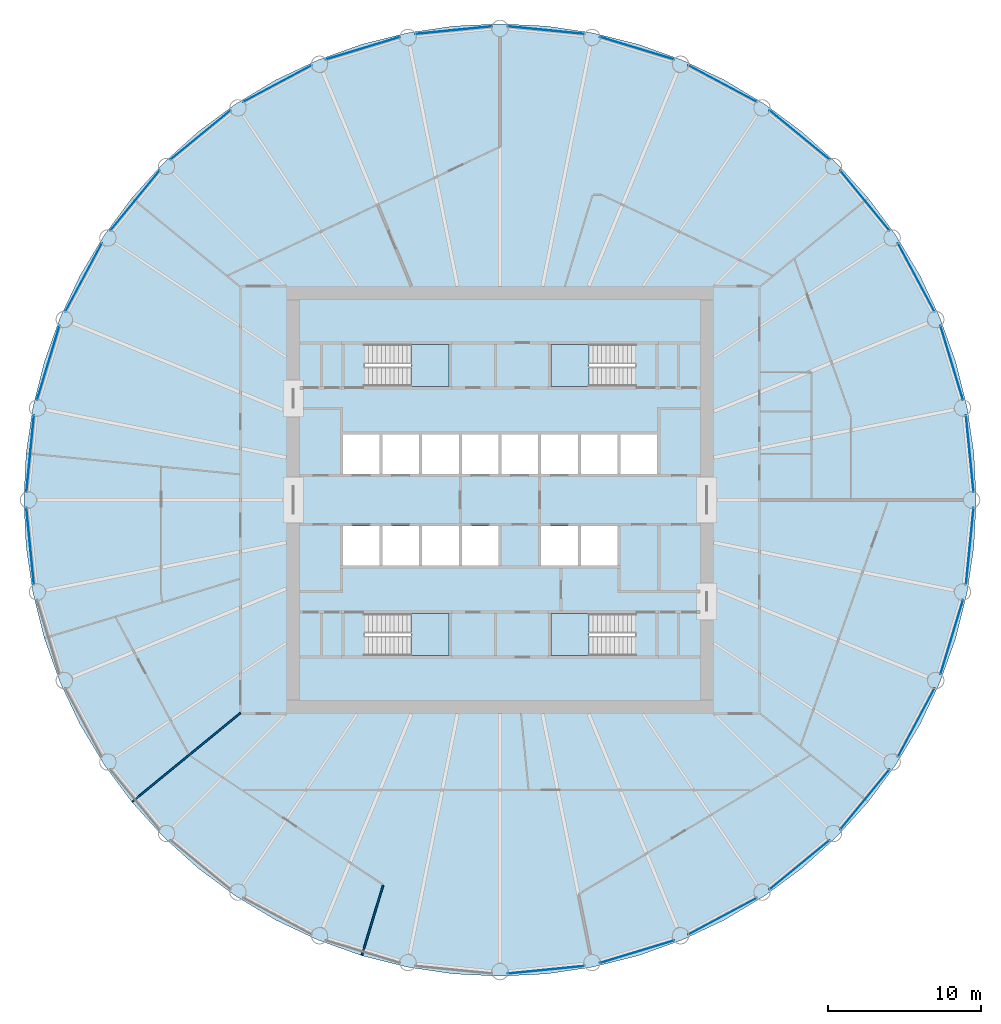
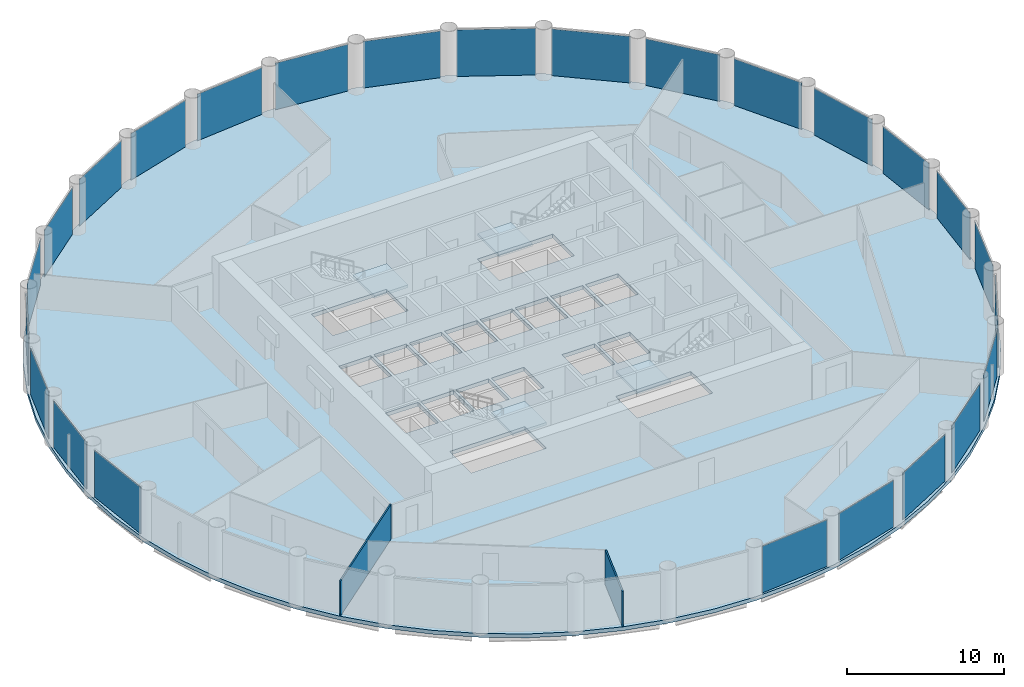
# One storey, part 3 of 8: 25 plates, 5 slabs, 2 walls, 29 elements without a shape of their own.
"""IFC4 building model written with IfcOpenShell, lengths in metres."""

from ifc_helpers import new_model, si_unit, direction, frame, frame_2d, origin, origin_2d, place, context, subcontext, project, spatial, polyline, rectangle, outline, extrude, material, layer, layer_set, type_object, element, aggregate, save


model = new_model("IFC4")

# Units and contexts
model_context = context("Model", 3, precision=1e-05, world=origin(), true_north=direction((0.0, 1.0)))
body_context = subcontext(model_context, "Body", "Model", "MODEL_VIEW")
ifc_project = project(units=[si_unit("LENGTHUNIT", "METRE"), si_unit("AREAUNIT", "SQUARE_METRE"), si_unit("VOLUMEUNIT", "CUBIC_METRE"), si_unit("PLANEANGLEUNIT", "RADIAN"), si_unit("MASSUNIT", "GRAM", prefix="KILO")], contexts=[model_context])

# Site, building, storey
site_placement = place(None, origin())
site = spatial("IfcSite", under=ifc_project, at=site_placement, CompositionType="ELEMENT")
building_placement = place(site_placement, origin())
building = spatial("IfcBuilding", under=site, at=building_placement, Name="Corvane Civic Tower", CompositionType="ELEMENT")
storey_placement = place(building_placement, frame((0.0, 0.0, 156.0)))
storey = spatial("IfcBuildingStorey", under=building, at=storey_placement, Name="L36", CompositionType="ELEMENT", Elevation=156.0)

# Slab
ifc_material_1 = material(Name="Concrete C40/50", Category="concrete")
ifc_layer_1 = layer(ifc_material_1, 0.300048828125)
ifc_layer_set_1 = layer_set([ifc_layer_1], Name="Concrete C40/50")
slab_type_1 = type_object("IfcSlabType", Name="FLOOR SLAB 300", PredefinedType="FLOOR", material=ifc_layer_set_1)
slab_1_placement = place(storey_placement, frame((0.0, 0.0, -0.300048828125)))
element("IfcSlab", 1, at=slab_1_placement, inside=storey, type_object=slab_type_1, Name="SLB-L36", PredefinedType="FLOOR", context=body_context, shape_type="SweptSolid", body=[
    extrude(outline(polyline([(0.0, 31.199951171875), (-3.05810546875, 31.0498046875), (-6.0869140625, 30.6005859375), (-9.056884765625, 29.8564453125), (-11.939697265625, 28.824951171875), (-14.70751953125, 27.515869140625), (-17.333740234375, 25.94189453125), (-19.79296875, 24.117919921875), (-22.061767578125, 22.061767578125), (-24.117919921875, 19.79296875), (-25.94189453125, 17.333740234375), (-27.515869140625, 14.70751953125), (-28.824951171875, 11.939697265625), (-29.8564453125, 9.056884765625), (-30.6005859375, 6.0869140625), (-31.0498046875, 3.05810546875), (-31.199951171875, 0.0), (-31.0498046875, -3.05810546875), (-30.6005859375, -6.0869140625), (-29.8564453125, -9.056884765625), (-28.824951171875, -11.939697265625), (-27.515869140625, -14.70751953125), (-25.94189453125, -17.333740234375), (-24.117919921875, -19.79296875), (-22.061767578125, -22.061767578125), (-19.79296875, -24.117919921875), (-17.333740234375, -25.94189453125), (-14.70751953125, -27.515869140625), (-11.939697265625, -28.824951171875), (-9.056884765625, -29.8564453125), (-6.0869140625, -30.6005859375), (-3.05810546875, -31.0498046875), (0.0, -31.199951171875), (3.05810546875, -31.0498046875), (6.0869140625, -30.6005859375), (9.056884765625, -29.8564453125), (11.939697265625, -28.824951171875), (14.70751953125, -27.515869140625), (17.333740234375, -25.94189453125), (19.79296875, -24.117919921875), (22.061767578125, -22.061767578125), (24.117919921875, -19.79296875), (25.94189453125, -17.333740234375), (27.515869140625, -14.70751953125), (28.824951171875, -11.939697265625), (29.8564453125, -9.056884765625), (30.6005859375, -6.0869140625), (31.0498046875, -3.05810546875), (31.199951171875, 0.0), (31.0498046875, 3.05810546875), (30.6005859375, 6.0869140625), (29.8564453125, 9.056884765625), (28.824951171875, 11.939697265625), (27.515869140625, 14.70751953125), (25.94189453125, 17.333740234375), (24.117919921875, 19.79296875), (22.061767578125, 22.061767578125), (19.79296875, 24.117919921875), (17.333740234375, 25.94189453125), (14.70751953125, 27.515869140625), (11.939697265625, 28.824951171875), (9.056884765625, 29.8564453125), (6.0869140625, 30.6005859375), (3.05810546875, 31.0498046875), (0.0, 31.199951171875)]), holes=[polyline([(-7.89990234375, 1.699951171875), (-10.300048828125, 1.699951171875), (-10.300048828125, 4.300048828125), (-7.89990234375, 4.300048828125), (-7.89990234375, 1.699951171875)]), polyline([(-7.699951171875, 4.300048828125), (-5.300048828125, 4.300048828125), (-5.300048828125, 1.699951171875), (-7.699951171875, 1.699951171875), (-7.699951171875, 4.300048828125)]), polyline([(-5.10009765625, 4.300048828125), (-2.699951171875, 4.300048828125), (-2.699951171875, 1.699951171875), (-5.10009765625, 1.699951171875), (-5.10009765625, 4.300048828125)]), polyline([(-2.5, 4.300048828125), (-0.10009765625, 4.300048828125), (-0.10009765625, 1.699951171875), (-2.5, 1.699951171875), (-2.5, 4.300048828125)]), polyline([(2.5, 1.699951171875), (0.10009765625, 1.699951171875), (0.10009765625, 4.300048828125), (2.5, 4.300048828125), (2.5, 1.699951171875)]), polyline([(5.10009765625, 1.699951171875), (2.699951171875, 1.699951171875), (2.699951171875, 4.300048828125), (5.10009765625, 4.300048828125), (5.10009765625, 1.699951171875)]), polyline([(5.300048828125, 4.300048828125), (7.699951171875, 4.300048828125), (7.699951171875, 1.699951171875), (5.300048828125, 1.699951171875), (5.300048828125, 4.300048828125)]), polyline([(7.89990234375, 4.300048828125), (10.300048828125, 4.300048828125), (10.300048828125, 1.699951171875), (7.89990234375, 1.699951171875), (7.89990234375, 4.300048828125)]), polyline([(-10.300048828125, -1.699951171875), (-7.89990234375, -1.699951171875), (-7.89990234375, -4.300048828125), (-10.300048828125, -4.300048828125), (-10.300048828125, -1.699951171875)]), polyline([(-7.699951171875, -1.699951171875), (-5.300048828125, -1.699951171875), (-5.300048828125, -4.300048828125), (-7.699951171875, -4.300048828125), (-7.699951171875, -1.699951171875)]), polyline([(-5.10009765625, -1.699951171875), (-2.699951171875, -1.699951171875), (-2.699951171875, -4.300048828125), (-5.10009765625, -4.300048828125), (-5.10009765625, -1.699951171875)]), polyline([(-2.5, -1.699951171875), (-0.10009765625, -1.699951171875), (-0.10009765625, -4.300048828125), (-2.5, -4.300048828125), (-2.5, -1.699951171875)]), polyline([(2.699951171875, -1.699951171875), (5.10009765625, -1.699951171875), (5.10009765625, -4.300048828125), (2.699951171875, -4.300048828125), (2.699951171875, -1.699951171875)]), polyline([(5.300048828125, -1.699951171875), (7.699951171875, -1.699951171875), (7.699951171875, -4.300048828125), (5.300048828125, -4.300048828125), (5.300048828125, -1.699951171875)]), polyline([(8.889892578125, 10.199951171875), (8.889892578125, 7.449951171875), (3.35009765625, 7.449951171875), (3.35009765625, 10.199951171875), (8.889892578125, 10.199951171875)]), polyline([(-8.889892578125, 7.449951171875), (-8.889892578125, 10.199951171875), (-3.35009765625, 10.199951171875), (-3.35009765625, 7.449951171875), (-8.889892578125, 7.449951171875)]), polyline([(8.889892578125, -7.449951171875), (8.889892578125, -10.199951171875), (3.35009765625, -10.199951171875), (3.35009765625, -7.449951171875), (8.889892578125, -7.449951171875)]), polyline([(-8.889892578125, -10.199951171875), (-8.889892578125, -7.449951171875), (-3.35009765625, -7.449951171875), (-3.35009765625, -10.199951171875), (-8.889892578125, -10.199951171875)])]), origin(), (0.0, 0.0, 1.0), 0.300048828125),
])

# Stair, slab
ifc_material_2 = material(Name="Concrete C40/50", Category="concrete")
stair_type = type_object("IfcStairType", Name="ST-STAIR-HALFTURN", PredefinedType="HALF_TURN_STAIR", material=ifc_material_2)
stair_1_placement = place(storey_placement, origin())
stair_1 = element("IfcStair", 2, at=stair_1_placement, inside=storey, type_object=stair_type, Name="L36 Exit stair ST1", PredefinedType="HALF_TURN_STAIR")
ifc_material_3 = material(Name="Concrete C40/50", Category="concrete")
ifc_layer_2 = layer(ifc_material_3, 0.199951171875)
ifc_layer_set_2 = layer_set([ifc_layer_2], Name="Concrete C40/50")
slab_type_2 = type_object("IfcSlabType", Name="ST-LANDING-RC", PredefinedType="LANDING", material=ifc_layer_set_2)
slab_2_placement = place(storey_placement, frame((0.0, 0.0, 1.800048828125)))
slab_2 = element("IfcSlab", 3, at=slab_2_placement, type_object=slab_type_2, Name="ST1 landing 1", PredefinedType="LANDING", context=body_context, shape_type="SweptSolid", body=[
    extrude(outline(polyline([(5.820068359375, 10.199951171875), (3.35009765625, 10.199951171875), (3.35009765625, 7.449951171875), (5.820068359375, 7.449951171875), (5.820068359375, 10.199951171875)])), origin(), (0.0, 0.0, 1.0), 0.199951171875),
])
aggregate(stair_1, [slab_2])

stair_2_placement = place(storey_placement, origin())
stair_2 = element("IfcStair", 4, at=stair_2_placement, inside=storey, type_object=stair_type, Name="L36 Exit stair ST2", PredefinedType="HALF_TURN_STAIR")
slab_3_placement = place(storey_placement, frame((0.0, 0.0, 1.800048828125)))
slab_3 = element("IfcSlab", 5, at=slab_3_placement, type_object=slab_type_2, Name="ST2 landing 1", PredefinedType="LANDING", context=body_context, shape_type="SweptSolid", body=[
    extrude(outline(polyline([(5.820068359375, -7.449951171875), (3.35009765625, -7.449951171875), (3.35009765625, -10.199951171875), (5.820068359375, -10.199951171875), (5.820068359375, -7.449951171875)])), origin(), (0.0, 0.0, 1.0), 0.199951171875),
])
aggregate(stair_2, [slab_3])

stair_3_placement = place(storey_placement, origin())
stair_3 = element("IfcStair", 6, at=stair_3_placement, inside=storey, type_object=stair_type, Name="L36 Exit stair ST3", PredefinedType="HALF_TURN_STAIR")
slab_4_placement = place(storey_placement, frame((0.0, 0.0, 1.800048828125)))
slab_4 = element("IfcSlab", 7, at=slab_4_placement, type_object=slab_type_2, Name="ST3 landing 1", PredefinedType="LANDING", context=body_context, shape_type="SweptSolid", body=[
    extrude(outline(polyline([(-5.820068359375, -10.199951171875), (-3.35009765625, -10.199951171875), (-3.35009765625, -7.449951171875), (-5.820068359375, -7.449951171875), (-5.820068359375, -10.199951171875)])), origin(), (0.0, 0.0, 1.0), 0.199951171875),
])
aggregate(stair_3, [slab_4])

stair_4_placement = place(storey_placement, origin())
stair_4 = element("IfcStair", 8, at=stair_4_placement, inside=storey, type_object=stair_type, Name="L36 Exit stair ST4", PredefinedType="HALF_TURN_STAIR")
slab_5_placement = place(storey_placement, frame((0.0, 0.0, 1.800048828125)))
slab_5 = element("IfcSlab", 9, at=slab_5_placement, type_object=slab_type_2, Name="ST4 landing 1", PredefinedType="LANDING", context=body_context, shape_type="SweptSolid", body=[
    extrude(outline(polyline([(-5.820068359375, 7.449951171875), (-3.35009765625, 7.449951171875), (-3.35009765625, 10.199951171875), (-5.820068359375, 10.199951171875), (-5.820068359375, 7.449951171875)])), origin(), (0.0, 0.0, 1.0), 0.199951171875),
])
aggregate(stair_4, [slab_5])

# Curtain wall, plate
ifc_material_4 = material(Name="Anodised aluminium bronze", Category="aluminium")
curtain_wall_type = type_object("IfcCurtainWallType", Name="TOWER CW-T2 STICK CURTAIN WALL", PredefinedType="NOTDEFINED", material=ifc_material_4)
curtain_wall_1_placement = place(storey_placement, origin())
curtain_wall_1 = element("IfcCurtainWall", 10, at=curtain_wall_1_placement, inside=storey, type_object=curtain_wall_type, Name="Curtain wall CW-T2 L36 bay 01", PredefinedType="NOTDEFINED")
ifc_material_5 = material(Name="Tinted glass", Category="glass")
ifc_layer_3 = layer(ifc_material_5, 0.031982421875)
ifc_layer_set_3 = layer_set([ifc_layer_3], Name="Tinted glass")
plate_type = type_object("IfcPlateType", Name="TOWER CW-T2 PANEL IGU32", PredefinedType="CURTAIN_PANEL", material=ifc_layer_set_3)
plate_1_placement = place(storey_placement, frame((3.03173828125, 30.781494140625, 0.0), z_axis=(0.0, 0.0, 1.0), x_axis=(0.995185244531, -0.098011882274, 0.0)))
plate_1 = element("IfcPlate", 11, at=plate_1_placement, type_object=plate_type, Name="Glass panel CW-T2 L36 01.1", PredefinedType="CURTAIN_PANEL", context=body_context, shape_type="SweptSolid", body=[
    extrude(rectangle(XDim=5.07763671875, YDim=0.031982421875, at=origin_2d()), origin(), (0.0, 0.0, 1.0), 3.6298828125),
])
aggregate(curtain_wall_1, [plate_1])

curtain_wall_2_placement = place(storey_placement, origin())
curtain_wall_2 = element("IfcCurtainWall", 12, at=curtain_wall_2_placement, inside=storey, type_object=curtain_wall_type, Name="Curtain wall CW-T2 L36 bay 02", PredefinedType="NOTDEFINED")
plate_2_placement = place(storey_placement, frame((8.978515625, 29.5986328125, 0.0), z_axis=(0.0, 0.0, 1.0), x_axis=(0.956931677007, -0.290313219714, 0.0)))
plate_2 = element("IfcPlate", 13, at=plate_2_placement, type_object=plate_type, Name="Glass panel CW-T2 L36 02.1", PredefinedType="CURTAIN_PANEL", context=body_context, shape_type="SweptSolid", body=[
    extrude(rectangle(XDim=5.077392578125, YDim=0.031982421875, at=origin_2d()), origin(), (0.0, 0.0, 1.0), 3.6298828125),
])
aggregate(curtain_wall_2, [plate_2])

curtain_wall_3_placement = place(storey_placement, origin())
curtain_wall_3 = element("IfcCurtainWall", 14, at=curtain_wall_3_placement, inside=storey, type_object=curtain_wall_type, Name="Curtain wall CW-T2 L36 bay 03", PredefinedType="NOTDEFINED")
plate_3_placement = place(storey_placement, frame((14.58056640625, 27.278076171875, 0.0), z_axis=(0.0, 0.0, 1.0), x_axis=(0.881922190434, -0.471395004238, 0.0)))
plate_3 = element("IfcPlate", 15, at=plate_3_placement, type_object=plate_type, Name="Glass panel CW-T2 L36 03.1", PredefinedType="CURTAIN_PANEL", context=body_context, shape_type="SweptSolid", body=[
    extrude(rectangle(XDim=5.077392578125, YDim=0.031982421875, at=origin_2d()), origin(), (0.0, 0.0, 1.0), 3.6298828125),
])
aggregate(curtain_wall_3, [plate_3])

curtain_wall_4_placement = place(storey_placement, origin())
curtain_wall_4 = element("IfcCurtainWall", 16, at=curtain_wall_4_placement, inside=storey, type_object=curtain_wall_type, Name="Curtain wall CW-T2 L36 bay 04", PredefinedType="NOTDEFINED")
plate_4_placement = place(storey_placement, frame((19.6220703125, 23.909423828125, 0.0), z_axis=(0.0, 0.0, 1.0), x_axis=(0.773004844196, -0.634400118891, 0.0)))
plate_4 = element("IfcPlate", 17, at=plate_4_placement, type_object=plate_type, Name="Glass panel CW-T2 L36 04.1", PredefinedType="CURTAIN_PANEL", context=body_context, shape_type="SweptSolid", body=[
    extrude(rectangle(XDim=5.0771484375, YDim=0.031982421875, at=origin_2d()), origin(), (0.0, 0.0, 1.0), 3.6298828125),
])
aggregate(curtain_wall_4, [plate_4])

curtain_wall_5_placement = place(storey_placement, origin())
curtain_wall_5 = element("IfcCurtainWall", 18, at=curtain_wall_5_placement, inside=storey, type_object=curtain_wall_type, Name="Curtain wall CW-T2 L36 bay 05", PredefinedType="NOTDEFINED")
plate_5_placement = place(storey_placement, frame((23.909423828125, 19.6220703125, 0.0), z_axis=(0.0, 0.0, 1.0), x_axis=(0.634400118891, -0.773004844196, 0.0)))
plate_5 = element("IfcPlate", 19, at=plate_5_placement, type_object=plate_type, Name="Glass panel CW-T2 L36 05.1", PredefinedType="CURTAIN_PANEL", context=body_context, shape_type="SweptSolid", body=[
    extrude(rectangle(XDim=5.0771484375, YDim=0.031982421875, at=origin_2d()), origin(), (0.0, 0.0, 1.0), 3.6298828125),
])
aggregate(curtain_wall_5, [plate_5])

curtain_wall_6_placement = place(storey_placement, origin())
curtain_wall_6 = element("IfcCurtainWall", 20, at=curtain_wall_6_placement, inside=storey, type_object=curtain_wall_type, Name="Curtain wall CW-T2 L36 bay 06", PredefinedType="NOTDEFINED")
plate_6_placement = place(storey_placement, frame((27.278076171875, 14.58056640625, 0.0), z_axis=(0.0, 0.0, 1.0), x_axis=(0.471395004238, -0.881922190434, 0.0)))
plate_6 = element("IfcPlate", 21, at=plate_6_placement, type_object=plate_type, Name="Glass panel CW-T2 L36 06.1", PredefinedType="CURTAIN_PANEL", context=body_context, shape_type="SweptSolid", body=[
    extrude(rectangle(XDim=5.077392578125, YDim=0.031982421875, at=origin_2d()), origin(), (0.0, 0.0, 1.0), 3.6298828125),
])
aggregate(curtain_wall_6, [plate_6])

curtain_wall_7_placement = place(storey_placement, origin())
curtain_wall_7 = element("IfcCurtainWall", 22, at=curtain_wall_7_placement, inside=storey, type_object=curtain_wall_type, Name="Curtain wall CW-T2 L36 bay 07", PredefinedType="NOTDEFINED")
plate_7_placement = place(storey_placement, frame((29.5986328125, 8.978515625, 0.0), z_axis=(0.0, 0.0, 1.0), x_axis=(0.290313219714, -0.956931677007, 0.0)))
plate_7 = element("IfcPlate", 23, at=plate_7_placement, type_object=plate_type, Name="Glass panel CW-T2 L36 07.1", PredefinedType="CURTAIN_PANEL", context=body_context, shape_type="SweptSolid", body=[
    extrude(rectangle(XDim=5.077392578125, YDim=0.031982421875, at=origin_2d()), origin(), (0.0, 0.0, 1.0), 3.6298828125),
])
aggregate(curtain_wall_7, [plate_7])

curtain_wall_8_placement = place(storey_placement, origin())
curtain_wall_8 = element("IfcCurtainWall", 24, at=curtain_wall_8_placement, inside=storey, type_object=curtain_wall_type, Name="Curtain wall CW-T2 L36 bay 08", PredefinedType="NOTDEFINED")
plate_8_placement = place(storey_placement, frame((30.781494140625, 3.03173828125, 0.0), z_axis=(0.0, 0.0, 1.0), x_axis=(0.098011882274, -0.995185244531, 0.0)))
plate_8 = element("IfcPlate", 25, at=plate_8_placement, type_object=plate_type, Name="Glass panel CW-T2 L36 08.1", PredefinedType="CURTAIN_PANEL", context=body_context, shape_type="SweptSolid", body=[
    extrude(rectangle(XDim=5.07763671875, YDim=0.031982421875, at=origin_2d()), origin(), (0.0, 0.0, 1.0), 3.6298828125),
])
aggregate(curtain_wall_8, [plate_8])

curtain_wall_9_placement = place(storey_placement, origin())
curtain_wall_9 = element("IfcCurtainWall", 26, at=curtain_wall_9_placement, inside=storey, type_object=curtain_wall_type, Name="Curtain wall CW-T2 L36 bay 09", PredefinedType="NOTDEFINED")
plate_9_placement = place(storey_placement, frame((30.781494140625, -3.03173828125, 0.0), z_axis=(0.0, 0.0, 1.0), x_axis=(-0.098011882274, -0.995185244531, 0.0)))
plate_9 = element("IfcPlate", 27, at=plate_9_placement, type_object=plate_type, Name="Glass panel CW-T2 L36 09.1", PredefinedType="CURTAIN_PANEL", context=body_context, shape_type="SweptSolid", body=[
    extrude(rectangle(XDim=5.07763671875, YDim=0.031982421875, at=origin_2d()), origin(), (0.0, 0.0, 1.0), 3.6298828125),
])
aggregate(curtain_wall_9, [plate_9])

curtain_wall_10_placement = place(storey_placement, origin())
curtain_wall_10 = element("IfcCurtainWall", 28, at=curtain_wall_10_placement, inside=storey, type_object=curtain_wall_type, Name="Curtain wall CW-T2 L36 bay 10", PredefinedType="NOTDEFINED")
plate_10_placement = place(storey_placement, frame((29.5986328125, -8.978515625, 0.0), z_axis=(0.0, 0.0, 1.0), x_axis=(-0.290313219714, -0.956931677007, 0.0)))
plate_10 = element("IfcPlate", 29, at=plate_10_placement, type_object=plate_type, Name="Glass panel CW-T2 L36 10.1", PredefinedType="CURTAIN_PANEL", context=body_context, shape_type="SweptSolid", body=[
    extrude(rectangle(XDim=5.077392578125, YDim=0.031982421875, at=origin_2d()), origin(), (0.0, 0.0, 1.0), 3.6298828125),
])
aggregate(curtain_wall_10, [plate_10])

curtain_wall_11_placement = place(storey_placement, origin())
curtain_wall_11 = element("IfcCurtainWall", 30, at=curtain_wall_11_placement, inside=storey, type_object=curtain_wall_type, Name="Curtain wall CW-T2 L36 bay 11", PredefinedType="NOTDEFINED")
plate_11_placement = place(storey_placement, frame((27.278076171875, -14.58056640625, 0.0), z_axis=(0.0, 0.0, 1.0), x_axis=(-0.471395004238, -0.881922190434, 0.0)))
plate_11 = element("IfcPlate", 31, at=plate_11_placement, type_object=plate_type, Name="Glass panel CW-T2 L36 11.1", PredefinedType="CURTAIN_PANEL", context=body_context, shape_type="SweptSolid", body=[
    extrude(rectangle(XDim=5.077392578125, YDim=0.031982421875, at=origin_2d()), origin(), (0.0, 0.0, 1.0), 3.6298828125),
])
aggregate(curtain_wall_11, [plate_11])

curtain_wall_12_placement = place(storey_placement, origin())
curtain_wall_12 = element("IfcCurtainWall", 32, at=curtain_wall_12_placement, inside=storey, type_object=curtain_wall_type, Name="Curtain wall CW-T2 L36 bay 12", PredefinedType="NOTDEFINED")
plate_12_placement = place(storey_placement, frame((23.909423828125, -19.6220703125, 0.0), z_axis=(0.0, 0.0, 1.0), x_axis=(-0.634400118891, -0.773004844196, 0.0)))
plate_12 = element("IfcPlate", 33, at=plate_12_placement, type_object=plate_type, Name="Glass panel CW-T2 L36 12.1", PredefinedType="CURTAIN_PANEL", context=body_context, shape_type="SweptSolid", body=[
    extrude(rectangle(XDim=5.0771484375, YDim=0.031982421875, at=origin_2d()), origin(), (0.0, 0.0, 1.0), 3.6298828125),
])
aggregate(curtain_wall_12, [plate_12])

curtain_wall_13_placement = place(storey_placement, origin())
curtain_wall_13 = element("IfcCurtainWall", 34, at=curtain_wall_13_placement, inside=storey, type_object=curtain_wall_type, Name="Curtain wall CW-T2 L36 bay 13", PredefinedType="NOTDEFINED")
plate_13_placement = place(storey_placement, frame((19.6220703125, -23.909423828125, 0.0), z_axis=(0.0, 0.0, 1.0), x_axis=(-0.773004844196, -0.634400118891, 0.0)))
plate_13 = element("IfcPlate", 35, at=plate_13_placement, type_object=plate_type, Name="Glass panel CW-T2 L36 13.1", PredefinedType="CURTAIN_PANEL", context=body_context, shape_type="SweptSolid", body=[
    extrude(rectangle(XDim=5.0771484375, YDim=0.031982421875, at=origin_2d()), origin(), (0.0, 0.0, 1.0), 3.6298828125),
])
aggregate(curtain_wall_13, [plate_13])

curtain_wall_14_placement = place(storey_placement, origin())
curtain_wall_14 = element("IfcCurtainWall", 36, at=curtain_wall_14_placement, inside=storey, type_object=curtain_wall_type, Name="Curtain wall CW-T2 L36 bay 14", PredefinedType="NOTDEFINED")
plate_14_placement = place(storey_placement, frame((14.58056640625, -27.278076171875, 0.0), z_axis=(0.0, 0.0, 1.0), x_axis=(-0.881922190434, -0.471395004238, 0.0)))
plate_14 = element("IfcPlate", 37, at=plate_14_placement, type_object=plate_type, Name="Glass panel CW-T2 L36 14.1", PredefinedType="CURTAIN_PANEL", context=body_context, shape_type="SweptSolid", body=[
    extrude(rectangle(XDim=5.077392578125, YDim=0.031982421875, at=origin_2d()), origin(), (0.0, 0.0, 1.0), 3.6298828125),
])
aggregate(curtain_wall_14, [plate_14])

curtain_wall_15_placement = place(storey_placement, origin())
curtain_wall_15 = element("IfcCurtainWall", 38, at=curtain_wall_15_placement, inside=storey, type_object=curtain_wall_type, Name="Curtain wall CW-T2 L36 bay 15", PredefinedType="NOTDEFINED")
plate_15_placement = place(storey_placement, frame((8.978515625, -29.5986328125, 0.0), z_axis=(0.0, 0.0, 1.0), x_axis=(-0.956931677007, -0.290313219714, 0.0)))
plate_15 = element("IfcPlate", 39, at=plate_15_placement, type_object=plate_type, Name="Glass panel CW-T2 L36 15.1", PredefinedType="CURTAIN_PANEL", context=body_context, shape_type="SweptSolid", body=[
    extrude(rectangle(XDim=5.077392578125, YDim=0.031982421875, at=origin_2d()), origin(), (0.0, 0.0, 1.0), 3.6298828125),
])
aggregate(curtain_wall_15, [plate_15])

curtain_wall_16_placement = place(storey_placement, origin())
curtain_wall_16 = element("IfcCurtainWall", 40, at=curtain_wall_16_placement, inside=storey, type_object=curtain_wall_type, Name="Curtain wall CW-T2 L36 bay 16", PredefinedType="NOTDEFINED")
plate_16_placement = place(storey_placement, frame((3.03173828125, -30.781494140625, 0.0), z_axis=(0.0, 0.0, 1.0), x_axis=(-0.995185244531, -0.098011882274, 0.0)))
plate_16 = element("IfcPlate", 41, at=plate_16_placement, type_object=plate_type, Name="Glass panel CW-T2 L36 16.1", PredefinedType="CURTAIN_PANEL", context=body_context, shape_type="SweptSolid", body=[
    extrude(rectangle(XDim=5.07763671875, YDim=0.031982421875, at=origin_2d()), origin(), (0.0, 0.0, 1.0), 3.6298828125),
])
aggregate(curtain_wall_16, [plate_16])

curtain_wall_17_placement = place(storey_placement, origin())
curtain_wall_17 = element("IfcCurtainWall", 42, at=curtain_wall_17_placement, inside=storey, type_object=curtain_wall_type, Name="Curtain wall CW-T2 L36 bay 24", PredefinedType="NOTDEFINED")
plate_17_placement = place(storey_placement, frame((-30.781494140625, -3.03173828125, 0.0), z_axis=(0.0, 0.0, 1.0), x_axis=(-0.098011882274, 0.995185244531, 0.0)))
plate_17 = element("IfcPlate", 43, at=plate_17_placement, type_object=plate_type, Name="Glass panel CW-T2 L36 24.1", PredefinedType="CURTAIN_PANEL", context=body_context, shape_type="SweptSolid", body=[
    extrude(rectangle(XDim=5.07763671875, YDim=0.031982421875, at=origin_2d()), origin(), (0.0, 0.0, 1.0), 3.6298828125),
])
aggregate(curtain_wall_17, [plate_17])

curtain_wall_18_placement = place(storey_placement, origin())
curtain_wall_18 = element("IfcCurtainWall", 44, at=curtain_wall_18_placement, inside=storey, type_object=curtain_wall_type, Name="Curtain wall CW-T2 L36 bay 25", PredefinedType="NOTDEFINED")
plate_18_placement = place(storey_placement, frame((-30.781494140625, 3.03173828125, 0.0), z_axis=(0.0, 0.0, 1.0), x_axis=(0.098011882274, 0.995185244531, 0.0)))
plate_18 = element("IfcPlate", 45, at=plate_18_placement, type_object=plate_type, Name="Glass panel CW-T2 L36 25.1", PredefinedType="CURTAIN_PANEL", context=body_context, shape_type="SweptSolid", body=[
    extrude(rectangle(XDim=5.07763671875, YDim=0.031982421875, at=origin_2d()), origin(), (0.0, 0.0, 1.0), 3.6298828125),
])
aggregate(curtain_wall_18, [plate_18])

curtain_wall_19_placement = place(storey_placement, origin())
curtain_wall_19 = element("IfcCurtainWall", 46, at=curtain_wall_19_placement, inside=storey, type_object=curtain_wall_type, Name="Curtain wall CW-T2 L36 bay 26", PredefinedType="NOTDEFINED")
plate_19_placement = place(storey_placement, frame((-29.5986328125, 8.978515625, 0.0), z_axis=(0.0, 0.0, 1.0), x_axis=(0.290313219714, 0.956931677007, 0.0)))
plate_19 = element("IfcPlate", 47, at=plate_19_placement, type_object=plate_type, Name="Glass panel CW-T2 L36 26.1", PredefinedType="CURTAIN_PANEL", context=body_context, shape_type="SweptSolid", body=[
    extrude(rectangle(XDim=5.077392578125, YDim=0.031982421875, at=origin_2d()), origin(), (0.0, 0.0, 1.0), 3.6298828125),
])
aggregate(curtain_wall_19, [plate_19])

curtain_wall_20_placement = place(storey_placement, origin())
curtain_wall_20 = element("IfcCurtainWall", 48, at=curtain_wall_20_placement, inside=storey, type_object=curtain_wall_type, Name="Curtain wall CW-T2 L36 bay 27", PredefinedType="NOTDEFINED")
plate_20_placement = place(storey_placement, frame((-27.278076171875, 14.58056640625, 0.0), z_axis=(0.0, 0.0, 1.0), x_axis=(0.471395004238, 0.881922190434, 0.0)))
plate_20 = element("IfcPlate", 49, at=plate_20_placement, type_object=plate_type, Name="Glass panel CW-T2 L36 27.1", PredefinedType="CURTAIN_PANEL", context=body_context, shape_type="SweptSolid", body=[
    extrude(rectangle(XDim=5.077392578125, YDim=0.031982421875, at=origin_2d()), origin(), (0.0, 0.0, 1.0), 3.6298828125),
])
aggregate(curtain_wall_20, [plate_20])

curtain_wall_21_placement = place(storey_placement, origin())
curtain_wall_21 = element("IfcCurtainWall", 50, at=curtain_wall_21_placement, inside=storey, type_object=curtain_wall_type, Name="Curtain wall CW-T2 L36 bay 28", PredefinedType="NOTDEFINED")
plate_21_placement = place(storey_placement, frame((-23.909423828125, 19.6220703125, 0.0), z_axis=(0.0, 0.0, 1.0), x_axis=(0.634400118891, 0.773004844196, 0.0)))
plate_21 = element("IfcPlate", 51, at=plate_21_placement, type_object=plate_type, Name="Glass panel CW-T2 L36 28.1", PredefinedType="CURTAIN_PANEL", context=body_context, shape_type="SweptSolid", body=[
    extrude(rectangle(XDim=5.0771484375, YDim=0.031982421875, at=origin_2d()), origin(), (0.0, 0.0, 1.0), 3.6298828125),
])
aggregate(curtain_wall_21, [plate_21])

curtain_wall_22_placement = place(storey_placement, origin())
curtain_wall_22 = element("IfcCurtainWall", 52, at=curtain_wall_22_placement, inside=storey, type_object=curtain_wall_type, Name="Curtain wall CW-T2 L36 bay 29", PredefinedType="NOTDEFINED")
plate_22_placement = place(storey_placement, frame((-19.6220703125, 23.909423828125, 0.0), z_axis=(0.0, 0.0, 1.0), x_axis=(0.773004844196, 0.634400118891, 0.0)))
plate_22 = element("IfcPlate", 53, at=plate_22_placement, type_object=plate_type, Name="Glass panel CW-T2 L36 29.1", PredefinedType="CURTAIN_PANEL", context=body_context, shape_type="SweptSolid", body=[
    extrude(rectangle(XDim=5.0771484375, YDim=0.031982421875, at=origin_2d()), origin(), (0.0, 0.0, 1.0), 3.6298828125),
])
aggregate(curtain_wall_22, [plate_22])

curtain_wall_23_placement = place(storey_placement, origin())
curtain_wall_23 = element("IfcCurtainWall", 54, at=curtain_wall_23_placement, inside=storey, type_object=curtain_wall_type, Name="Curtain wall CW-T2 L36 bay 30", PredefinedType="NOTDEFINED")
plate_23_placement = place(storey_placement, frame((-14.58056640625, 27.278076171875, 0.0), z_axis=(0.0, 0.0, 1.0), x_axis=(0.881922190434, 0.471395004238, 0.0)))
plate_23 = element("IfcPlate", 55, at=plate_23_placement, type_object=plate_type, Name="Glass panel CW-T2 L36 30.1", PredefinedType="CURTAIN_PANEL", context=body_context, shape_type="SweptSolid", body=[
    extrude(rectangle(XDim=5.077392578125, YDim=0.031982421875, at=origin_2d()), origin(), (0.0, 0.0, 1.0), 3.6298828125),
])
aggregate(curtain_wall_23, [plate_23])

curtain_wall_24_placement = place(storey_placement, origin())
curtain_wall_24 = element("IfcCurtainWall", 56, at=curtain_wall_24_placement, inside=storey, type_object=curtain_wall_type, Name="Curtain wall CW-T2 L36 bay 31", PredefinedType="NOTDEFINED")
plate_24_placement = place(storey_placement, frame((-8.978515625, 29.5986328125, 0.0), z_axis=(0.0, 0.0, 1.0), x_axis=(0.956931677007, 0.290313219714, 0.0)))
plate_24 = element("IfcPlate", 57, at=plate_24_placement, type_object=plate_type, Name="Glass panel CW-T2 L36 31.1", PredefinedType="CURTAIN_PANEL", context=body_context, shape_type="SweptSolid", body=[
    extrude(rectangle(XDim=5.077392578125, YDim=0.031982421875, at=origin_2d()), origin(), (0.0, 0.0, 1.0), 3.6298828125),
])
aggregate(curtain_wall_24, [plate_24])

curtain_wall_25_placement = place(storey_placement, origin())
curtain_wall_25 = element("IfcCurtainWall", 58, at=curtain_wall_25_placement, inside=storey, type_object=curtain_wall_type, Name="Curtain wall CW-T2 L36 bay 32", PredefinedType="NOTDEFINED")
plate_25_placement = place(storey_placement, frame((-3.03173828125, 30.781494140625, 0.0), z_axis=(0.0, 0.0, 1.0), x_axis=(0.995185244531, 0.098011882274, 0.0)))
plate_25 = element("IfcPlate", 59, at=plate_25_placement, type_object=plate_type, Name="Glass panel CW-T2 L36 32.1", PredefinedType="CURTAIN_PANEL", context=body_context, shape_type="SweptSolid", body=[
    extrude(rectangle(XDim=5.07763671875, YDim=0.031982421875, at=origin_2d()), origin(), (0.0, 0.0, 1.0), 3.6298828125),
])
aggregate(curtain_wall_25, [plate_25])

# Walls
ifc_material_6 = material(Name="Plasterboard")
ifc_layer_4 = layer(ifc_material_6, 0.10009765625)
ifc_layer_set_4 = layer_set([ifc_layer_4], Name="Plasterboard")
wall_type = type_object("IfcWallType", Name="Partition 100 plasterboard on studs", PredefinedType="PARTITIONING", material=ifc_layer_set_4)
wall_1_placement = place(storey_placement, frame((-9.04248046875, -29.808837890625, 0.0), z_axis=(0.0, 0.0, 1.0), x_axis=(0.290291575547, 0.956938243131, 0.0)))
element("IfcWall", 60, at=wall_1_placement, inside=storey, type_object=wall_type, Name="Partition L36.001", PredefinedType="PARTITIONING", context=body_context, shape_type="SweptSolid", body=[
    extrude(rectangle(XDim=4.7685546875, YDim=0.10009765625, at=frame_2d((2.38427734375, 0.0))), origin(), (0.0, 0.0, 1.0), 2.699951171875),
])
wall_2_placement = place(storey_placement, frame((-24.079345703125, -19.761474609375, 0.0), z_axis=(0.0, 0.0, 1.0), x_axis=(0.773006154143, 0.634398522742, 0.0)))
element("IfcWall", 61, at=wall_2_placement, inside=storey, type_object=wall_type, Name="Partition L36.005", PredefinedType="PARTITIONING", context=body_context, shape_type="SweptSolid", body=[
    extrude(rectangle(XDim=9.134521484375, YDim=0.10009765625, at=frame_2d((4.5673828125, 0.0))), origin(), (0.0, 0.0, 1.0), 2.699951171875),
])

save(model, "model.ifc")
